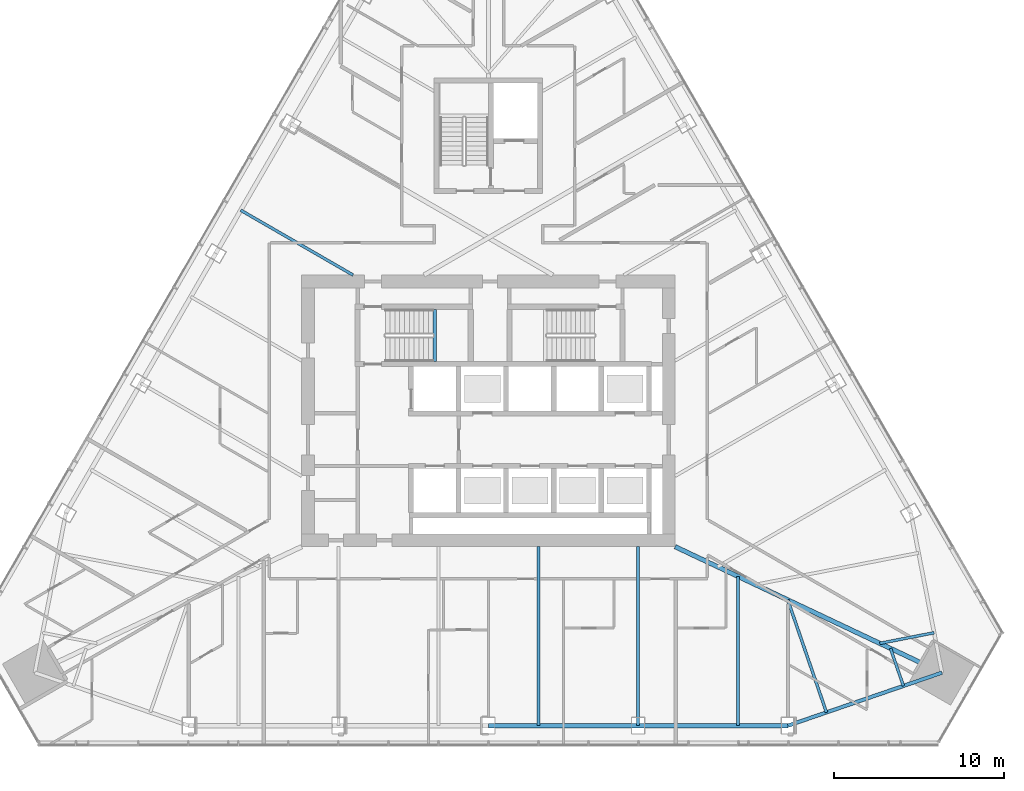
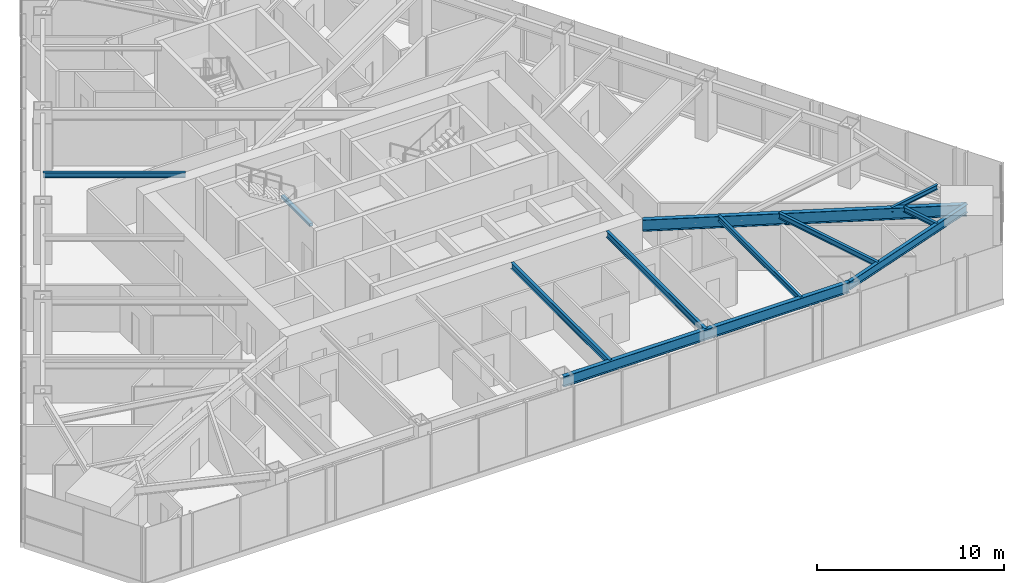
# One storey, part 6 of 19: 11 beams.
"""IFC4 building model written with IfcOpenShell, lengths in metres."""

import ifcopenshell
import ifcopenshell.guid

model = None  # the IFC model being written
_history = None  # IfcOwnerHistory: only IFC2X3 demands one
_inside = {}  # id of a spatial element -> (the spatial element, [elements in it])
_under = {}  # id of a project, library or spatial element -> (it, [spatial elements below it])
_declared = {}  # id of a project -> (the project, [libraries it declares])
_typed = {}  # id of a type object -> (the type object, [elements of that type])
_made_of = {}  # id of a material, layer set ... -> (it, [elements and type objects made of it])


def new_model(schema):
    """Start an empty IFC model of exactly this schema.

    Asked for "IFC4X3", IfcOpenShell would pick the latest addendum, in which some entities
    have other attributes; the version numbers below select the first issue.
    IFC2X3 requires an IfcOwnerHistory on every rooted entity: one is made here for all.
    """
    global model, _history
    if schema == "IFC4X3":
        model = ifcopenshell.file(schema_version=(4, 3, 0, 0))
    else:
        model = ifcopenshell.file(schema=schema)
    _inside.clear()
    _under.clear()
    _declared.clear()
    _typed.clear()
    _made_of.clear()
    _history = None
    if model.schema == "IFC2X3":
        org = make("IfcOrganization", Name="unknown")
        user = make(
            "IfcPersonAndOrganization",
            ThePerson=make("IfcPerson", FamilyName="unknown"),
            TheOrganization=org,
        )
        app = make(
            "IfcApplication",
            ApplicationDeveloper=org,
            Version="unknown",
            ApplicationFullName="unknown",
            ApplicationIdentifier="unknown",
        )
        _history = make(
            "IfcOwnerHistory",
            OwningUser=user,
            OwningApplication=app,
            ChangeAction="ADDED",
            CreationDate=0,
        )
    return model


def make(cls, **values):
    """One entity of the class cls with the attributes given. An attribute that is None is left unset."""
    return model.create_entity(
        cls, **{name: value for name, value in values.items() if value is not None}
    )


def rooted(cls, **values):
    """An entity with a GlobalId (a new one), such as an element, a storey or a relation."""
    return make(cls, GlobalId=ifcopenshell.guid.new(), OwnerHistory=_history, **values)


def si_unit(unit_type, name, prefix=None):
    """IfcSIUnit, for example si_unit("LENGTHUNIT", "METRE", prefix="MILLI")."""
    return make("IfcSIUnit", UnitType=unit_type, Prefix=prefix, Name=name)


def assignment(units):
    """IfcUnitAssignment: the units of a project."""
    return None if units is None else make("IfcUnitAssignment", Units=units)


def point(xyz):
    """IfcCartesianPoint."""
    return None if xyz is None else make("IfcCartesianPoint", Coordinates=xyz)


def direction(xyz):
    """IfcDirection."""
    return None if xyz is None else make("IfcDirection", DirectionRatios=xyz)


def frame(location, z_axis=None, x_axis=None):
    """IfcAxis2Placement3D, a coordinate frame: its origin and axes. An axis left out is left unset."""
    return make(
        "IfcAxis2Placement3D",
        Location=point(location),
        Axis=direction(z_axis),
        RefDirection=direction(x_axis),
    )


def frame_2d(location, x_axis=None):
    """IfcAxis2Placement2D, a coordinate frame in the plane: its origin and x axis."""
    return make(
        "IfcAxis2Placement2D", Location=point(location), RefDirection=direction(x_axis)
    )


def origin():
    """The frame at (0, 0, 0) with its axes left unset."""
    return frame((0.0, 0.0, 0.0))


def origin_2d():
    """The frame at (0, 0) in the plane with its x axis left unset."""
    return frame_2d((0.0, 0.0))


def place(relative_to, where):
    """IfcLocalPlacement: puts the frame where relative to a parent placement (None: the world)."""
    return make(
        "IfcLocalPlacement", PlacementRelTo=relative_to, RelativePlacement=where
    )


def context(
    kind, dimensions, precision=None, world=None, true_north=None, identifier=None
):
    """IfcGeometricRepresentationContext, for example the 3D "Model" context."""
    return make(
        "IfcGeometricRepresentationContext",
        ContextIdentifier=identifier,
        ContextType=kind,
        CoordinateSpaceDimension=dimensions,
        Precision=precision,
        WorldCoordinateSystem=world,
        TrueNorth=true_north,
    )


def subcontext(parent, identifier, kind, view, scale=None):
    """IfcGeometricRepresentationSubContext, for example "Body" below "Model"."""
    return make(
        "IfcGeometricRepresentationSubContext",
        ContextIdentifier=identifier,
        ContextType=kind,
        ParentContext=parent,
        TargetScale=scale,
        TargetView=view,
    )


def project(units=None, contexts=None):
    """IfcProject with its units and contexts."""
    return rooted(
        "IfcProject",
        Name="project",
        RepresentationContexts=contexts,
        UnitsInContext=assignment(units),
    )


def spatial(cls, under=None, at=None, **own):
    """A site, building, storey or space (cls), placed at a placement, below another one or the project."""
    s = rooted(cls, ObjectPlacement=at, **own)
    if under is not None:
        _under.setdefault(under.id(), (under, []))[1].append(s)
    return s


def profile(cls, at=None, kind="AREA", **sizes):
    """A parametric profile (cls). Its sizes go by their IFC names, for example OverallWidth=200.0."""
    return make(cls, ProfileType=kind, Position=at, **sizes)


def rectangle(**sizes):
    """IfcRectangleProfileDef."""
    return profile("IfcRectangleProfileDef", **sizes)


def i_section(**sizes):
    """IfcIShapeProfileDef."""
    return profile("IfcIShapeProfileDef", **sizes)


def extrude(swept, where, along, depth):
    """IfcExtrudedAreaSolid: the profile swept, set in the frame where, extruded along a direction by depth."""
    return make(
        "IfcExtrudedAreaSolid",
        SweptArea=swept,
        Position=where,
        ExtrudedDirection=direction(along),
        Depth=depth,
    )


def shape(context_of_items, identifier, shape_type, items):
    """IfcShapeRepresentation: the items that make up one representation, for example the "Body"."""
    return make(
        "IfcShapeRepresentation",
        ContextOfItems=context_of_items,
        RepresentationIdentifier=identifier,
        RepresentationType=shape_type,
        Items=items,
    )


def material(Name=None, Category=None):
    """IfcMaterial."""
    return make("IfcMaterial", Name=Name, Category=Category)


def material_profile(
    of_material, cross_section, Name=None, Category=None, Priority=None
):
    """IfcMaterialProfile: a cross section and its material."""
    return make(
        "IfcMaterialProfile",
        Name=Name,
        Material=of_material,
        Profile=cross_section,
        Priority=Priority,
        Category=Category,
    )


def profile_set(profiles, Name=None, composite=None):
    """IfcMaterialProfileSet."""
    return make(
        "IfcMaterialProfileSet",
        Name=Name,
        MaterialProfiles=profiles,
        CompositeProfile=composite,
    )


def made_of(thing, what):
    """Note that an element or type object is made of a material, layer set ...; save() writes the relation."""
    if what is not None:
        _made_of.setdefault(what.id(), (what, []))[1].append(thing)
    return thing


def type_object(cls, material=None, **own):
    """A type object (cls), such as IfcWallType, which elements share."""
    return made_of(rooted(cls, **own), material)


def element(
    cls,
    number,
    at=None,
    inside=None,
    cuts=None,
    type_object=None,
    material=None,
    context=None,
    identifier="Body",
    shape_type=None,
    held_by="IfcProductDefinitionShape",
    body=None,
    shapes=None,
    **own,
):
    """One element of the class cls, such as IfcWall. Its Tag is "e" and its number.

    at: its placement. inside: the storey or other place that contains it. cuts: it is an
    opening in that element (IfcRelVoidsElement). A single representation is given by context,
    identifier, shape_type and body (its items); several are given by shapes. held_by: the class
    of the entity that holds the representations. save() writes the other relations.
    """
    e = rooted(cls, Tag="e%d" % number, ObjectPlacement=at, **own)
    if body is not None:
        shapes = [shape(context, identifier, shape_type, body)]
    if shapes is not None:
        e.Representation = make(held_by, Representations=shapes)
    if inside is not None:
        _inside.setdefault(inside.id(), (inside, []))[1].append(e)
    if cuts is not None:
        rooted(
            "IfcRelVoidsElement", RelatingBuildingElement=cuts, RelatedOpeningElement=e
        )
    if type_object is not None:
        _typed.setdefault(type_object.id(), (type_object, []))[1].append(e)
    return made_of(e, material)


def aggregate(whole, parts):
    """IfcRelAggregates: a whole, such as a stair, and the parts it consists of."""
    return rooted("IfcRelAggregates", RelatingObject=whole, RelatedObjects=parts)


def save(model, path):
    """Write the relations noted so far, then the file.

    IfcRelAggregates (storeys below a building ...), IfcRelContainedInSpatialStructure (elements
    in a storey), IfcRelDefinesByType, IfcRelAssociatesMaterial and IfcRelDeclares: one each for
    every whole, place, type object, material and project.
    """
    for whole, parts in _under.values():
        aggregate(whole, parts)
    for where, things in _inside.values():
        rooted(
            "IfcRelContainedInSpatialStructure",
            RelatedElements=things,
            RelatingStructure=where,
        )
    for kind, things in _typed.values():
        rooted("IfcRelDefinesByType", RelatedObjects=things, RelatingType=kind)
    for what, things in _made_of.values():
        rooted("IfcRelAssociatesMaterial", RelatedObjects=things, RelatingMaterial=what)
    for by, libraries in _declared.values():
        rooted("IfcRelDeclares", RelatingContext=by, RelatedDefinitions=libraries)
    model.write(path)


model = new_model("IFC4")

# Units and contexts
model_context = context("Model", 3, precision=1e-05, world=origin(), true_north=direction((0.0, 1.0)))
body_context = subcontext(model_context, "Body", "Model", "MODEL_VIEW")
ifc_project = project(units=[si_unit("LENGTHUNIT", "METRE"), si_unit("AREAUNIT", "SQUARE_METRE"), si_unit("VOLUMEUNIT", "CUBIC_METRE"), si_unit("PLANEANGLEUNIT", "RADIAN"), si_unit("MASSUNIT", "GRAM", prefix="KILO")], contexts=[model_context])

# Site, building, storey
site_placement = place(None, origin())
site = spatial("IfcSite", under=ifc_project, at=site_placement, CompositionType="ELEMENT")
building_placement = place(site_placement, origin())
building = spatial("IfcBuilding", under=site, at=building_placement, Name="Firuza Gate Tower and Library", CompositionType="ELEMENT")
storey_placement = place(building_placement, frame((0.0, 0.0, 183.10009765625)))
storey = spatial("IfcBuildingStorey", under=building, at=storey_placement, Name="L42", CompositionType="ELEMENT", Elevation=183.10009765625)

# Beams
ifc_material_1 = material(Name="Concrete C35/45", Category="concrete")
ifc_material_profile_1 = material_profile(ifc_material_1, rectangle(XDim=0.199951171875, YDim=0.199951171875, at=origin_2d()))
ifc_profile_set_1 = profile_set([ifc_material_profile_1], Name="Concrete C35/45")
beam_type_1 = type_object("IfcBeamType", Name="Stair landing bearer 200x200", PredefinedType="BEAM", material=ifc_profile_set_1)
beam_1_placement = place(storey_placement, frame((71.840087890625, 77.89990234375, 1.64990234375), z_axis=(0.0, 1.0, 0.0), x_axis=(-1.0, 0.0, 0.0)))
element("IfcBeam", 1, at=beam_1_placement, inside=storey, type_object=beam_type_1, Name="Landing bearer L42 stair 1", PredefinedType="BEAM", context=body_context, shape_type="SweptSolid", body=[
    extrude(rectangle(XDim=0.199951171875, YDim=0.199951171875, at=origin_2d()), origin(), (0.0, 0.0, 1.0), 3.080078125),
])
ifc_material_2 = material(Name="Steel S355", Category="steel")
ifc_material_profile_2 = material_profile(ifc_material_2, i_section(OverallWidth=0.1650390625, OverallDepth=0.31005859375, WebThickness=0.005859375, FlangeThickness=0.009765625, at=origin_2d()))
ifc_profile_set_2 = profile_set([ifc_material_profile_2], Name="Steel S355")
beam_type_2 = type_object("IfcBeamType", Name="W310x39 Floor beam", PredefinedType="JOIST", material=ifc_profile_set_2)
beam_2_placement = place(storey_placement, frame((99.446533203125, 58.798095703125, 3.544921875), z_axis=(-0.325275479668, 0.945619300949, 0.0), x_axis=(-0.945619300949, -0.325275479668, 0.0)))
element("IfcBeam", 2, at=beam_2_placement, inside=storey, type_object=beam_type_2, Name="Floor beam L42 s31", PredefinedType="JOIST", context=body_context, shape_type="SweptSolid", body=[
    extrude(i_section(OverallWidth=0.1650390625, OverallDepth=0.31005859375, WebThickness=0.005859375, FlangeThickness=0.009765625, at=origin_2d()), origin(), (0.0, 0.0, 1.0), 2.335693359375),
])
beam_3_placement = place(storey_placement, frame((101.254638671875, 61.9296875, 3.544921875), z_axis=(-0.981558472637, -0.191162142681, 0.0), x_axis=(0.191162142681, -0.981558472637, 0.0)))
element("IfcBeam", 3, at=beam_3_placement, inside=storey, type_object=beam_type_2, Name="Floor beam L42 s40", PredefinedType="JOIST", context=body_context, shape_type="SweptSolid", body=[
    extrude(i_section(OverallWidth=0.1650390625, OverallDepth=0.31005859375, WebThickness=0.005859375, FlangeThickness=0.009765625, at=origin_2d()), origin(), (0.0, 0.0, 1.0), 3.26171875),
])
ifc_material_3 = material(Name="Steel S355", Category="steel")
ifc_material_profile_3 = material_profile(ifc_material_3, i_section(OverallWidth=0.1708984375, OverallDepth=0.35498046875, WebThickness=0.007080078125, FlangeThickness=0.01171875, at=origin_2d()))
ifc_profile_set_3 = profile_set([ifc_material_profile_3], Name="Steel S355")
beam_type_3 = type_object("IfcBeamType", Name="W360x51 Floor beam", PredefinedType="JOIST", material=ifc_profile_set_3)
beam_4_placement = place(storey_placement, frame((89.70654296875, 56.459716796875, 3.5224609375), z_axis=(0.0, 1.0, 0.0), x_axis=(-1.0, 0.0, 0.0)))
element("IfcBeam", 4, at=beam_4_placement, inside=storey, type_object=beam_type_3, Name="Floor beam L42 s25", PredefinedType="JOIST", context=body_context, shape_type="SweptSolid", body=[
    extrude(i_section(OverallWidth=0.1708984375, OverallDepth=0.35498046875, WebThickness=0.007080078125, FlangeThickness=0.01171875, at=origin_2d()), origin(), (0.0, 0.0, 1.0), 8.789306640625),
])
beam_5_placement = place(storey_placement, frame((94.9140625, 57.239013671875, 3.5224609375), z_axis=(-0.32522289411, 0.945637387769, 0.0), x_axis=(-0.945637387769, -0.32522289411, 0.0)))
element("IfcBeam", 5, at=beam_5_placement, inside=storey, type_object=beam_type_3, Name="Floor beam L42 s30", PredefinedType="JOIST", context=body_context, shape_type="SweptSolid", body=[
    extrude(i_section(OverallWidth=0.1708984375, OverallDepth=0.35498046875, WebThickness=0.007080078125, FlangeThickness=0.01171875, at=origin_2d()), origin(), (0.0, 0.0, 1.0), 7.007568359375),
])
beam_6_placement = place(storey_placement, frame((60.414306640625, 86.8173828125, 3.5224609375), z_axis=(0.866022634277, -0.500004796897, 0.0), x_axis=(0.500004796897, 0.866022634277, 0.0)))
element("IfcBeam", 6, at=beam_6_placement, inside=storey, type_object=beam_type_3, Name="Floor beam L42 s82", PredefinedType="JOIST", context=body_context, shape_type="SweptSolid", body=[
    extrude(i_section(OverallWidth=0.1708984375, OverallDepth=0.35498046875, WebThickness=0.007080078125, FlangeThickness=0.01171875, at=origin_2d()), origin(), (0.0, 0.0, 1.0), 7.634765625),
])
ifc_material_4 = material(Name="Steel S355", Category="steel")
ifc_material_profile_4 = material_profile(ifc_material_4, i_section(OverallWidth=0.177978515625, OverallDepth=0.406982421875, WebThickness=0.0078125, FlangeThickness=0.0126953125, at=origin_2d()))
ifc_profile_set_4 = profile_set([ifc_material_profile_4], Name="Steel S355")
beam_type_4 = type_object("IfcBeamType", Name="W410x60 Floor beam", PredefinedType="JOIST", material=ifc_profile_set_4)
for number, where, z_axis, x_axis, name in (
    (7, (77.94140625, 56.459716796875, 3.496337890625), (0.0, 1.0, 0.0), (-1.0, 0.0, 0.0), "Floor beam L42 s23"),
    (8, (83.823974609375, 56.459716796875, 3.496337890625), (0.0, 1.0, 0.0), (-1.0, 0.0, 0.0), "Floor beam L42 s24"),
):
    element("IfcBeam", number, at=place(storey_placement, frame(where, z_axis=z_axis, x_axis=x_axis)), inside=storey, type_object=beam_type_4, Name=name, PredefinedType="JOIST", context=body_context, shape_type="SweptSolid", body=[
        extrude(i_section(OverallWidth=0.177978515625, OverallDepth=0.406982421875, WebThickness=0.0078125, FlangeThickness=0.0126953125, at=origin_2d()), origin(), (0.0, 0.0, 1.0), 10.540283203125),
    ])
ifc_material_5 = material(Name="Steel S355", Category="steel")
ifc_material_profile_5 = material_profile(ifc_material_5, i_section(OverallWidth=0.212890625, OverallDepth=0.5390625, WebThickness=0.01171875, FlangeThickness=0.018798828125, at=origin_2d()))
ifc_profile_set_5 = profile_set([ifc_material_profile_5], Name="Steel S355")
beam_type_5 = type_object("IfcBeamType", Name="W530x109 Edge beam", PredefinedType="SPANDREL", material=ifc_profile_set_5)
beam_7_placement = place(storey_placement, frame((92.647705078125, 56.459716796875, 3.430419921875), z_axis=(0.945635206182, 0.325229237354, 0.0), x_axis=(-0.325229237354, 0.945635206182, 0.0)))
element("IfcBeam", 9, at=beam_7_placement, inside=storey, type_object=beam_type_5, Name="Edge beam L42 e30", PredefinedType="SPANDREL", context=body_context, shape_type="SweptSolid", body=[
    extrude(i_section(OverallWidth=0.212890625, OverallDepth=0.5390625, WebThickness=0.01171875, FlangeThickness=0.018798828125, at=origin_2d()), origin(), (0.0, 0.0, 1.0), 9.586181640625),
])
ifc_material_6 = material(Name="Steel S355", Category="steel")
ifc_material_profile_6 = material_profile(ifc_material_6, i_section(OverallWidth=0.2529296875, OverallDepth=0.677978515625, WebThickness=0.01171875, FlangeThickness=0.016357421875, at=origin_2d()))
ifc_profile_set_6 = profile_set([ifc_material_profile_6], Name="Steel S355")
beam_type_6 = type_object("IfcBeamType", Name="W690x125 Edge beam", PredefinedType="SPANDREL", material=ifc_profile_set_6)
beam_8_placement = place(storey_placement, frame((75.0, 56.459716796875, 3.36083984375), z_axis=(1.0, 0.0, 0.0), x_axis=(0.0, 1.0, 0.0)))
element("IfcBeam", 10, at=beam_8_placement, inside=storey, type_object=beam_type_6, Name="Edge beam L42 e22", PredefinedType="SPANDREL", context=body_context, shape_type="SweptSolid", body=[
    extrude(i_section(OverallWidth=0.2529296875, OverallDepth=0.677978515625, WebThickness=0.01171875, FlangeThickness=0.016357421875, at=origin_2d()), origin(), (0.0, 0.0, 1.0), 17.647705078125),
])
ifc_material_7 = material(Name="Steel S355", Category="steel")
ifc_material_profile_7 = material_profile(ifc_material_7, i_section(OverallWidth=0.264892578125, OverallDepth=0.7529296875, WebThickness=0.01318359375, FlangeThickness=0.01708984375, at=origin_2d()))
ifc_profile_set_7 = profile_set([ifc_material_profile_7], Name="Steel S355")
beam_type_7 = type_object("IfcBeamType", Name="W760x147 Girder", PredefinedType="BEAM", material=ifc_profile_set_7)
beam_9_placement = place(storey_placement, frame((101.712646484375, 59.577392578125, 3.323486328125), z_axis=(-0.904187610241, 0.427135535266, 0.0), x_axis=(-0.427135535266, -0.904187610241, 0.0)))
element("IfcBeam", 11, at=beam_9_placement, inside=storey, type_object=beam_type_7, Name="Girder L42 gSE", PredefinedType="BEAM", context=body_context, shape_type="SweptSolid", body=[
    extrude(i_section(OverallWidth=0.264892578125, OverallDepth=0.7529296875, WebThickness=0.01318359375, FlangeThickness=0.01708984375, at=origin_2d()), origin(), (0.0, 0.0, 1.0), 17.377685546875),
])

save(model, "model.ifc")
